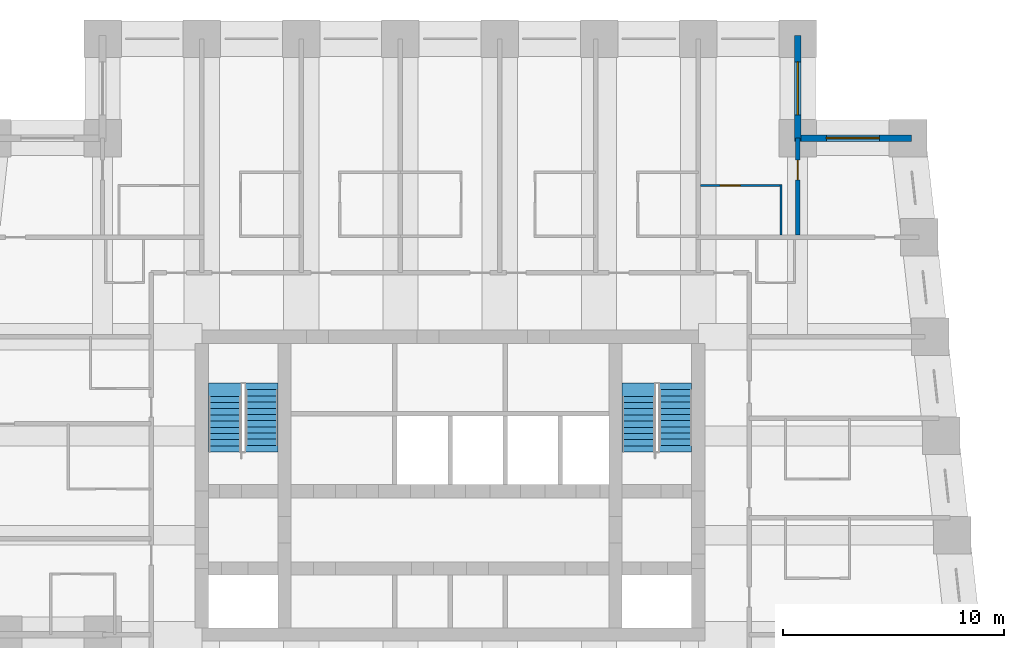
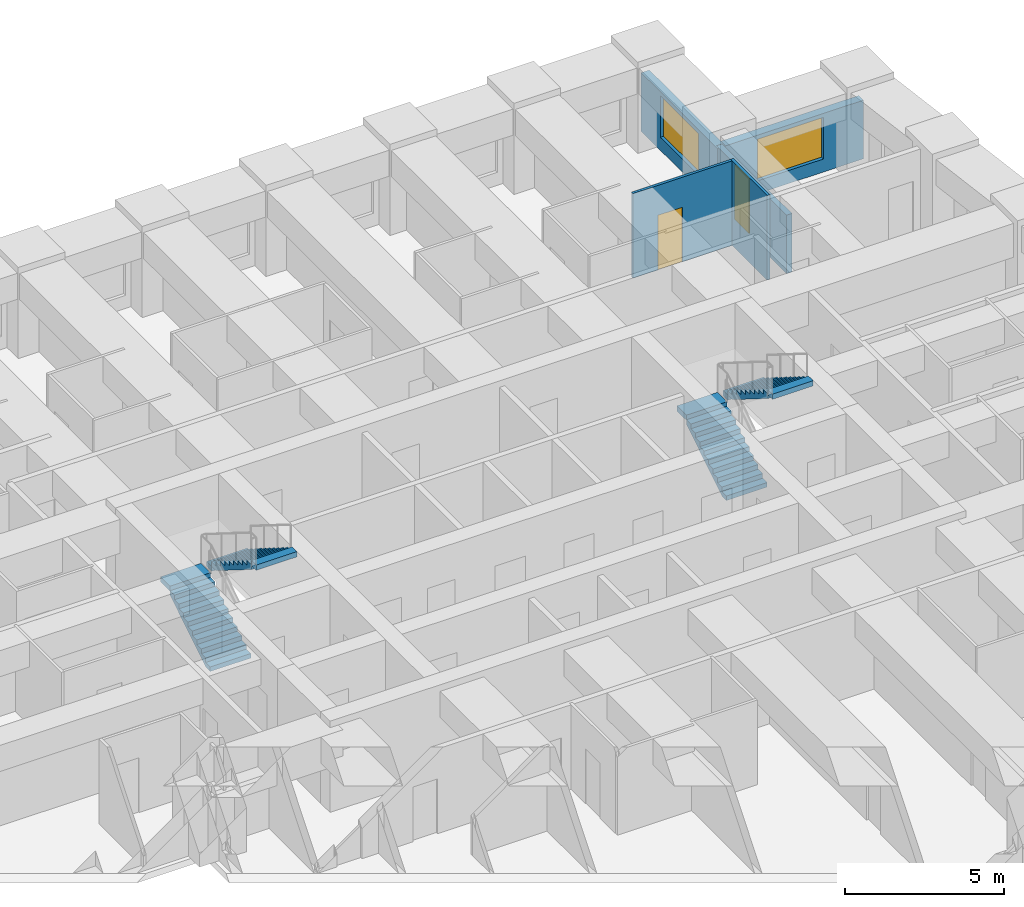
# One storey, part 7 of 8: 5 walls, 4 stair flights, 2 doors, 2 windows, 4 openings, 2 elements without a shape of their own.
"""IFC4 building model written with IfcOpenShell, lengths in metres."""

from ifc_helpers import new_model, si_unit, direction, frame, frame_2d, origin, place, context, subcontext, project, spatial, polyline, rectangle, outline, extrude, material, layer, layer_set, type_object, element, fill, aggregate, save


model = new_model("IFC4")

# Units and contexts
model_context = context("Model", 3, precision=1e-05, world=origin(), true_north=direction((0.0, 1.0)))
body_context = subcontext(model_context, "Body", "Model", "MODEL_VIEW")
ifc_project = project(units=[si_unit("LENGTHUNIT", "METRE"), si_unit("AREAUNIT", "SQUARE_METRE"), si_unit("VOLUMEUNIT", "CUBIC_METRE"), si_unit("PLANEANGLEUNIT", "RADIAN"), si_unit("MASSUNIT", "GRAM", prefix="KILO")], contexts=[model_context])

# Site, building, storey
site_placement = place(None, origin())
site = spatial("IfcSite", under=ifc_project, at=site_placement, CompositionType="ELEMENT")
building_placement = place(site_placement, origin())
building = spatial("IfcBuilding", under=site, at=building_placement, Name="Kilele Tower Hotel", CompositionType="ELEMENT")
storey_placement = place(building_placement, frame((0.0, 0.0, 190.39990234375)))
storey = spatial("IfcBuildingStorey", under=building, at=storey_placement, Name="L49", CompositionType="ELEMENT", Elevation=190.39990234375)

# Wall
ifc_material_1 = material(Name="Moisture-resistant board")
ifc_layer_1 = layer(ifc_material_1, 0.10009765625)
ifc_layer_set_1 = layer_set([ifc_layer_1], Name="Moisture-resistant board")
wall_type_1 = type_object("IfcWallType", Name="Bathroom partition 100", PredefinedType="PLUMBINGWALL", material=ifc_layer_set_1)
wall_1_placement = place(storey_placement, frame((39.75, 31.60009765625, 0.0), z_axis=(0.0, 0.0, 1.0), x_axis=(0.0, 1.0, 0.0)))
element("IfcWall", 1, at=wall_1_placement, inside=storey, type_object=wall_type_1, Name="Bathroom partition 100 L49", PredefinedType="PLUMBINGWALL", context=body_context, shape_type="SweptSolid", body=[
    extrude(rectangle(XDim=2.2998046875, YDim=0.10009765625, at=frame_2d((1.14990234375, 0.0))), origin(), (0.0, 0.0, 1.0), 3.25),
])

# Wall, opening, door
wall_2_placement = place(storey_placement, frame((36.10009765625, 33.85009765625, 0.0), z_axis=(0.0, 0.0, 1.0), x_axis=(1.0, 0.0, 0.0)))
wall_2 = element("IfcWall", 2, at=wall_2_placement, inside=storey, type_object=wall_type_1, Name="Bathroom partition 100 L49", PredefinedType="PLUMBINGWALL", context=body_context, shape_type="SweptSolid", body=[
    extrude(rectangle(XDim=3.699951171875, YDim=0.10009765625, at=frame_2d((1.85009765625, 0.0))), origin(), (0.0, 0.0, 1.0), 3.25),
])
opening_1_placement = place(wall_2_placement, frame((0.89990234375, 0.0, 0.0)))
opening_1 = element("IfcOpeningElement", 3, at=opening_1_placement, cuts=wall_2, Name="Opening D2A", PredefinedType="OPENING", context=body_context, shape_type="SweptSolid", body=[
    extrude(rectangle(XDim=0.89990234375, YDim=2.10009765625, at=frame_2d((0.449951171875, 1.050048828125))), frame((0.0, 0.06005859375, 0.0), z_axis=(0.0, -1.0, 0.0), x_axis=(1.0, 0.0, 0.0)), (0.0, 0.0, 1.0), 0.1201171875),
])
ifc_material_2 = material(Name="Timber door leaf in hardwood frame", Category="wood")
door_type_1 = type_object("IfcDoorType", Name="Bathroom door 900", OperationType="SINGLE_SWING_LEFT", PredefinedType="DOOR", material=ifc_material_2)
door_1_placement = place(opening_1_placement, origin())
door_1 = element("IfcDoor", 4, at=door_1_placement, inside=storey, type_object=door_type_1, Name="Bathroom door 4923B", OperationType="SINGLE_SWING_LEFT", OverallHeight=2.10009765625, OverallWidth=0.89990234375, PredefinedType="DOOR", context=body_context, shape_type="SweptSolid", body=[
    extrude(rectangle(XDim=0.89990234375, YDim=2.10009765625, at=frame_2d((0.449951171875, 1.050048828125))), frame((0.0, 0.02490234375, 0.0), z_axis=(0.0, -1.0, 0.0), x_axis=(1.0, 0.0, 0.0)), (0.0, 0.0, 1.0), 0.050048828125),
])
fill(opening_1, door_1)

ifc_material_3 = material(Name="Blockwork, plastered both sides", Category="masonry")
ifc_layer_2 = layer(ifc_material_3, 0.199951171875)
ifc_layer_set_2 = layer_set([ifc_layer_2], Name="Blockwork, plastered both sides")
wall_type_2 = type_object("IfcWallType", Name="Partition wall 200", PredefinedType="PARTITIONING", material=ifc_layer_set_2)
wall_3_placement = place(storey_placement, frame((40.5, 31.60009765625, 0.0), z_axis=(0.0, 0.0, 1.0), x_axis=(0.0, 1.0, 0.0)))
wall_3 = element("IfcWall", 5, at=wall_3_placement, inside=storey, type_object=wall_type_2, Name="Partition wall 200 L49", PredefinedType="PARTITIONING", context=body_context, shape_type="SweptSolid", body=[
    extrude(rectangle(XDim=4.39990234375, YDim=0.199951171875, at=frame_2d((2.199951171875, 0.0))), origin(), (0.0, 0.0, 1.0), 2.25),
])
opening_2_placement = place(wall_3_placement, frame((2.5, 0.0, 0.0)))
opening_2 = element("IfcOpeningElement", 6, at=opening_2_placement, cuts=wall_3, Name="Opening D3", PredefinedType="OPENING", context=body_context, shape_type="SweptSolid", body=[
    extrude(rectangle(XDim=0.89990234375, YDim=2.10009765625, at=frame_2d((0.449951171875, 1.050048828125))), frame((0.0, 0.10986328125, 0.0), z_axis=(0.0, -1.0, 0.0), x_axis=(1.0, 0.0, 0.0)), (0.0, 0.0, 1.0), 0.219970703125),
])
ifc_material_4 = material(Name="Timber door leaf in hardwood frame", Category="wood")
door_type_2 = type_object("IfcDoorType", Name="Suite internal door 900", OperationType="SINGLE_SWING_LEFT", PredefinedType="DOOR", material=ifc_material_4)
door_2_placement = place(opening_2_placement, origin())
door_2 = element("IfcDoor", 7, at=door_2_placement, inside=storey, type_object=door_type_2, Name="Suite door 4924", OperationType="SINGLE_SWING_LEFT", OverallHeight=2.10009765625, OverallWidth=0.89990234375, PredefinedType="DOOR", context=body_context, shape_type="SweptSolid", body=[
    extrude(rectangle(XDim=0.89990234375, YDim=2.10009765625, at=frame_2d((0.449951171875, 1.050048828125))), frame((0.0, 0.02490234375, 0.0), z_axis=(0.0, -1.0, 0.0), x_axis=(1.0, 0.0, 0.0)), (0.0, 0.0, 1.0), 0.050048828125),
])
fill(opening_2, door_2)

# Wall, opening, window
ifc_material_5 = material(Name="Concrete C40/50 precast", Category="concrete")
ifc_layer_3 = layer(ifc_material_5, 0.260009765625, Name="Precast backing", Category="LoadBearing")
ifc_material_6 = material(Name="Reconstituted stone finish", Category="masonry")
ifc_layer_4 = layer(ifc_material_6, 0.0400390625, Name="Face mix", Category="Finish")
ifc_layer_set_3 = layer_set([ifc_layer_3, ifc_layer_4], Name="Precast concrete C40/50, reconstituted stone finish")
wall_type_3 = type_object("IfcWallType", Name="Precast stone facade wall 300", PredefinedType="STANDARD", material=ifc_layer_set_3)
wall_4_placement = place(storey_placement, frame((45.64990234375, 36.0, 0.0), z_axis=(0.0, 0.0, 1.0), x_axis=(-1.0, 0.0, 0.0)))
wall_4 = element("IfcWall", 8, at=wall_4_placement, inside=storey, type_object=wall_type_3, Name="Facade wall L49 edge 7", PredefinedType="STANDARD", context=body_context, shape_type="SweptSolid", body=[
    extrude(rectangle(XDim=5.2998046875, YDim=0.300048828125, at=frame_2d((2.64990234375, 0.0))), origin(), (0.0, 0.0, 1.0), 2.25),
])
opening_3_placement = place(wall_4_placement, frame((1.449951171875, 0.0, 0.5)))
opening_3 = element("IfcOpeningElement", 9, at=opening_3_placement, cuts=wall_4, Name="Opening W3", PredefinedType="OPENING", context=body_context, shape_type="SweptSolid", body=[
    extrude(rectangle(XDim=2.39990234375, YDim=1.60009765625, at=frame_2d((1.199951171875, 0.800048828125))), frame((0.0, 0.159912109375, 0.0), z_axis=(0.0, -1.0, 0.0), x_axis=(1.0, 0.0, 0.0)), (0.0, 0.0, 1.0), 0.320068359375),
])
ifc_material_7 = material(Name="Aluminium frame, clear double glazing", Category="aluminium")
window_type = type_object("IfcWindowType", Name="Window W3 2400 x 1600", PartitioningType="SINGLE_PANEL", PredefinedType="WINDOW", material=ifc_material_7)
window_1_placement = place(opening_3_placement, origin())
window_1 = element("IfcWindow", 10, at=window_1_placement, inside=storey, type_object=window_type, Name="Window L49", OverallHeight=1.60009765625, OverallWidth=2.39990234375, PartitioningType="SINGLE_PANEL", PredefinedType="WINDOW", context=body_context, shape_type="SweptSolid", body=[
    extrude(rectangle(XDim=2.39990234375, YDim=1.60009765625, at=frame_2d((1.199951171875, 0.800048828125))), frame((0.0, 0.030029296875, 0.0), z_axis=(0.0, -1.0, 0.0), x_axis=(1.0, 0.0, 0.0)), (0.0, 0.0, 1.0), 0.06005859375),
])
fill(opening_3, window_1)

wall_5_placement = place(storey_placement, frame((40.5, 35.85009765625, 0.0), z_axis=(0.0, 0.0, 1.0), x_axis=(0.0, 1.0, 0.0)))
wall_5 = element("IfcWall", 11, at=wall_5_placement, inside=storey, type_object=wall_type_3, Name="Facade wall L49 edge 8", PredefinedType="STANDARD", context=body_context, shape_type="SweptSolid", body=[
    extrude(rectangle(XDim=4.7998046875, YDim=0.300048828125, at=frame_2d((2.39990234375, 0.0))), origin(), (0.0, 0.0, 1.0), 2.25),
])
opening_4_placement = place(wall_5_placement, frame((1.199951171875, 0.0, 0.5)))
opening_4 = element("IfcOpeningElement", 12, at=opening_4_placement, cuts=wall_5, Name="Opening W3", PredefinedType="OPENING", context=body_context, shape_type="SweptSolid", body=[
    extrude(rectangle(XDim=2.39990234375, YDim=1.60009765625, at=frame_2d((1.199951171875, 0.800048828125))), frame((0.0, 0.159912109375, 0.0), z_axis=(0.0, -1.0, 0.0), x_axis=(1.0, 0.0, 0.0)), (0.0, 0.0, 1.0), 0.320068359375),
])
window_2_placement = place(opening_4_placement, origin())
window_2 = element("IfcWindow", 13, at=window_2_placement, inside=storey, type_object=window_type, Name="Window L49", OverallHeight=1.60009765625, OverallWidth=2.39990234375, PartitioningType="SINGLE_PANEL", PredefinedType="WINDOW", context=body_context, shape_type="SweptSolid", body=[
    extrude(rectangle(XDim=2.39990234375, YDim=1.60009765625, at=frame_2d((1.199951171875, 0.800048828125))), frame((0.0, 0.030029296875, 0.0), z_axis=(0.0, -1.0, 0.0), x_axis=(1.0, 0.0, 0.0)), (0.0, 0.0, 1.0), 0.06005859375),
])
fill(opening_4, window_2)

# Stair, stair flights
ifc_material_8 = material(Name="Precast concrete C40/50", Category="concrete")
stair_type = type_object("IfcStairType", Name="Stair 1475 x 3500", PredefinedType="HALF_TURN_STAIR", material=ifc_material_8)
stair_1_placement = place(storey_placement, origin())
stair_1 = element("IfcStair", 14, at=stair_1_placement, inside=storey, type_object=stair_type, Name="Stair 1 L49", PredefinedType="HALF_TURN_STAIR")
ifc_material_9 = material(Name="Precast concrete C40/50", Category="concrete")
stair_flight_type = type_object("IfcStairFlightType", Name="Flight 1475 riser 175.0", PredefinedType="STRAIGHT", material=ifc_material_9)
stair_flight_1_placement = place(storey_placement, frame((14.53759765625, 21.77490234375, 0.0), z_axis=(0.0, 0.0, 1.0), x_axis=(0.0, 1.0, 0.0)))
stair_flight_1 = element("IfcStairFlight", 15, at=stair_flight_1_placement, type_object=stair_flight_type, Name="ST1 flight 1", NumberOfRisers=10, NumberOfTreads=9, PredefinedType="STRAIGHT", RiserHeight=0.175, TreadLength=0.28, context=body_context, shape_type="SweptSolid", body=[
    extrude(outline(polyline([(0.0, 0.0), (0.0, 0.175048828125), (0.280029296875, 0.175048828125), (0.280029296875, 0.35009765625), (0.56005859375, 0.35009765625), (0.56005859375, 0.52490234375), (0.840087890625, 0.52490234375), (0.840087890625, 0.699951171875), (1.1201171875, 0.699951171875), (1.1201171875, 0.875), (1.39990234375, 0.875), (1.39990234375, 1.050048828125), (1.679931640625, 1.050048828125), (1.679931640625, 1.22509765625), (1.9599609375, 1.22509765625), (1.9599609375, 1.39990234375), (2.239990234375, 1.39990234375), (2.239990234375, 1.574951171875), (2.52001953125, 1.574951171875), (2.52001953125, 1.75), (2.52001953125, 1.398193359375), (0.28271484375, 0.0), (0.0, 0.0)])), frame((0.0, 0.737548828125, 0.0), z_axis=(0.0, -1.0, 0.0), x_axis=(1.0, 0.0, 0.0)), (0.0, 0.0, 1.0), 1.47509765625),
    extrude(outline(polyline([(2.52001953125, 0.737548828125), (2.52001953125, -0.7373046875), (3.1201171875, -0.7373046875), (3.1201171875, 0.737548828125), (2.52001953125, 0.737548828125)])), frame((0.0, 0.0, 1.550048828125)), (0.0, 0.0, 1.0), 0.199951171875),
])
stair_flight_2_placement = place(storey_placement, frame((16.21240234375, 24.594970703125, 1.75), z_axis=(0.0, 0.0, 1.0), x_axis=(0.0, -1.0, 0.0)))
stair_flight_2 = element("IfcStairFlight", 16, at=stair_flight_2_placement, type_object=stair_flight_type, Name="ST1 flight 2", NumberOfRisers=10, NumberOfTreads=9, PredefinedType="STRAIGHT", RiserHeight=0.175, TreadLength=0.28, context=body_context, shape_type="SweptSolid", body=[
    extrude(outline(polyline([(0.0, 0.0), (0.0, 0.175048828125), (0.280029296875, 0.175048828125), (0.280029296875, 0.35009765625), (0.56005859375, 0.35009765625), (0.56005859375, 0.52490234375), (0.840087890625, 0.52490234375), (0.840087890625, 0.699951171875), (1.1201171875, 0.699951171875), (1.1201171875, 0.875), (1.39990234375, 0.875), (1.39990234375, 1.050048828125), (1.679931640625, 1.050048828125), (1.679931640625, 1.22509765625), (1.9599609375, 1.22509765625), (1.9599609375, 1.39990234375), (2.239990234375, 1.39990234375), (2.239990234375, 1.574951171875), (2.52001953125, 1.574951171875), (2.52001953125, 1.75), (2.52001953125, 1.398193359375), (0.28271484375, 0.0), (0.0, 0.0)])), frame((0.0, 0.737548828125, 0.0), z_axis=(0.0, -1.0, 0.0), x_axis=(1.0, 0.0, 0.0)), (0.0, 0.0, 1.0), 1.47509765625),
    extrude(outline(polyline([(0.0, -0.7373046875), (0.0, 0.737548828125), (-0.300048828125, 0.737548828125), (-0.300048828125, -0.7373046875), (0.0, -0.7373046875)])), frame((0.0, 0.0, -0.199951171875)), (0.0, 0.0, 1.0), 0.199951171875),
    extrude(outline(polyline([(2.820068359375, -0.7373046875), (2.820068359375, 0.737548828125), (2.52001953125, 0.737548828125), (2.52001953125, -0.7373046875), (2.820068359375, -0.7373046875)])), frame((0.0, 0.0, 1.550048828125)), (0.0, 0.0, 1.0), 0.199951171875),
])
aggregate(stair_1, [stair_flight_1, stair_flight_2])

stair_2_placement = place(storey_placement, origin())
stair_2 = element("IfcStair", 17, at=stair_2_placement, inside=storey, type_object=stair_type, Name="Stair 2 L49", PredefinedType="HALF_TURN_STAIR")
stair_flight_3_placement = place(storey_placement, frame((33.28759765625, 21.77490234375, 0.0), z_axis=(0.0, 0.0, 1.0), x_axis=(0.0, 1.0, 0.0)))
stair_flight_3 = element("IfcStairFlight", 18, at=stair_flight_3_placement, type_object=stair_flight_type, Name="ST2 flight 1", NumberOfRisers=10, NumberOfTreads=9, PredefinedType="STRAIGHT", RiserHeight=0.175, TreadLength=0.28, context=body_context, shape_type="SweptSolid", body=[
    extrude(outline(polyline([(0.0, 0.0), (0.0, 0.175048828125), (0.280029296875, 0.175048828125), (0.280029296875, 0.35009765625), (0.56005859375, 0.35009765625), (0.56005859375, 0.52490234375), (0.840087890625, 0.52490234375), (0.840087890625, 0.699951171875), (1.1201171875, 0.699951171875), (1.1201171875, 0.875), (1.39990234375, 0.875), (1.39990234375, 1.050048828125), (1.679931640625, 1.050048828125), (1.679931640625, 1.22509765625), (1.9599609375, 1.22509765625), (1.9599609375, 1.39990234375), (2.239990234375, 1.39990234375), (2.239990234375, 1.574951171875), (2.52001953125, 1.574951171875), (2.52001953125, 1.75), (2.52001953125, 1.398193359375), (0.28271484375, 0.0), (0.0, 0.0)])), frame((0.0, 0.737548828125, 0.0), z_axis=(0.0, -1.0, 0.0), x_axis=(1.0, 0.0, 0.0)), (0.0, 0.0, 1.0), 1.47509765625),
    extrude(outline(polyline([(2.52001953125, 0.737548828125), (2.52001953125, -0.7373046875), (3.1201171875, -0.7373046875), (3.1201171875, 0.737548828125), (2.52001953125, 0.737548828125)])), frame((0.0, 0.0, 1.550048828125)), (0.0, 0.0, 1.0), 0.199951171875),
])
stair_flight_4_placement = place(storey_placement, frame((34.96240234375, 24.594970703125, 1.75), z_axis=(0.0, 0.0, 1.0), x_axis=(0.0, -1.0, 0.0)))
stair_flight_4 = element("IfcStairFlight", 19, at=stair_flight_4_placement, type_object=stair_flight_type, Name="ST2 flight 2", NumberOfRisers=10, NumberOfTreads=9, PredefinedType="STRAIGHT", RiserHeight=0.175, TreadLength=0.28, context=body_context, shape_type="SweptSolid", body=[
    extrude(outline(polyline([(0.0, 0.0), (0.0, 0.175048828125), (0.280029296875, 0.175048828125), (0.280029296875, 0.35009765625), (0.56005859375, 0.35009765625), (0.56005859375, 0.52490234375), (0.840087890625, 0.52490234375), (0.840087890625, 0.699951171875), (1.1201171875, 0.699951171875), (1.1201171875, 0.875), (1.39990234375, 0.875), (1.39990234375, 1.050048828125), (1.679931640625, 1.050048828125), (1.679931640625, 1.22509765625), (1.9599609375, 1.22509765625), (1.9599609375, 1.39990234375), (2.239990234375, 1.39990234375), (2.239990234375, 1.574951171875), (2.52001953125, 1.574951171875), (2.52001953125, 1.75), (2.52001953125, 1.398193359375), (0.28271484375, 0.0), (0.0, 0.0)])), frame((0.0, 0.737548828125, 0.0), z_axis=(0.0, -1.0, 0.0), x_axis=(1.0, 0.0, 0.0)), (0.0, 0.0, 1.0), 1.47509765625),
    extrude(outline(polyline([(0.0, -0.7373046875), (0.0, 0.737548828125), (-0.300048828125, 0.737548828125), (-0.300048828125, -0.7373046875), (0.0, -0.7373046875)])), frame((0.0, 0.0, -0.199951171875)), (0.0, 0.0, 1.0), 0.199951171875),
    extrude(outline(polyline([(2.820068359375, -0.7373046875), (2.820068359375, 0.737548828125), (2.52001953125, 0.737548828125), (2.52001953125, -0.7373046875), (2.820068359375, -0.7373046875)])), frame((0.0, 0.0, 1.550048828125)), (0.0, 0.0, 1.0), 0.199951171875),
])
aggregate(stair_2, [stair_flight_3, stair_flight_4])

save(model, "model.ifc")
